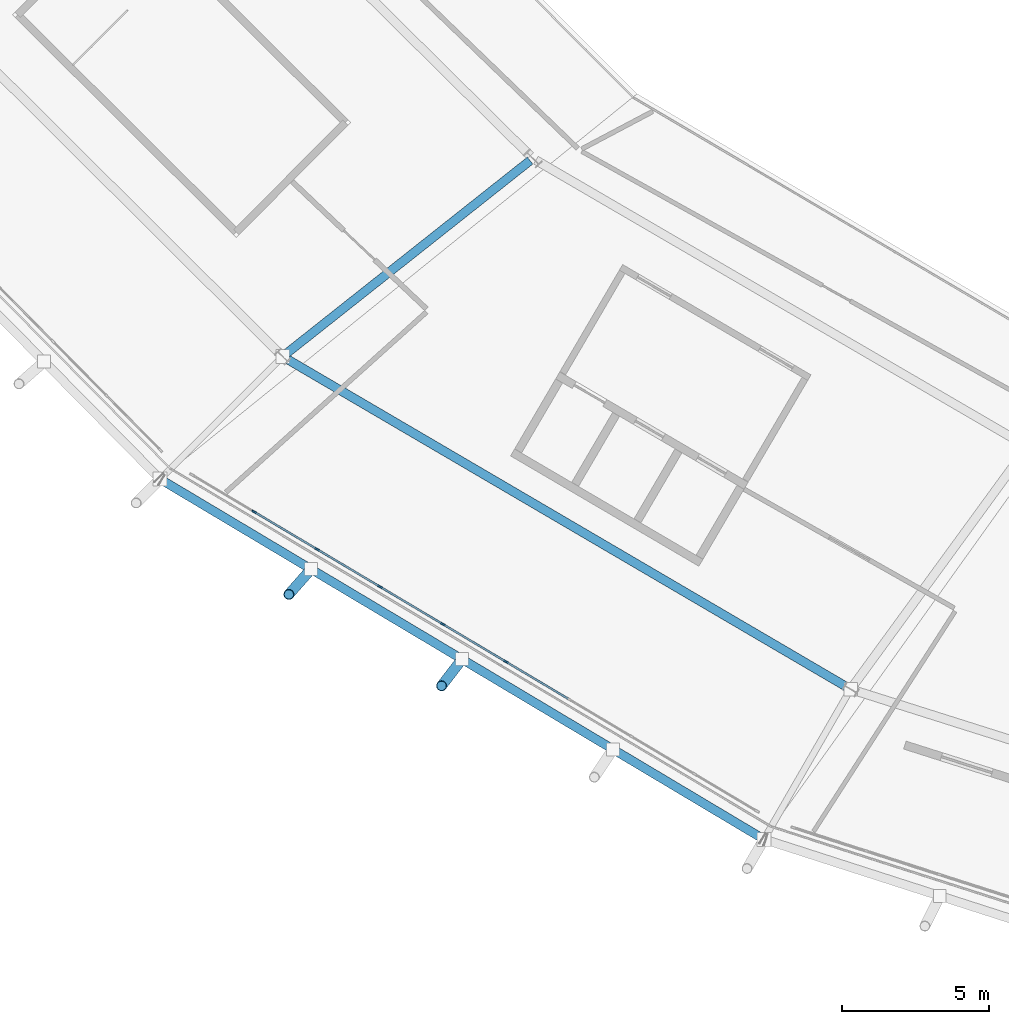
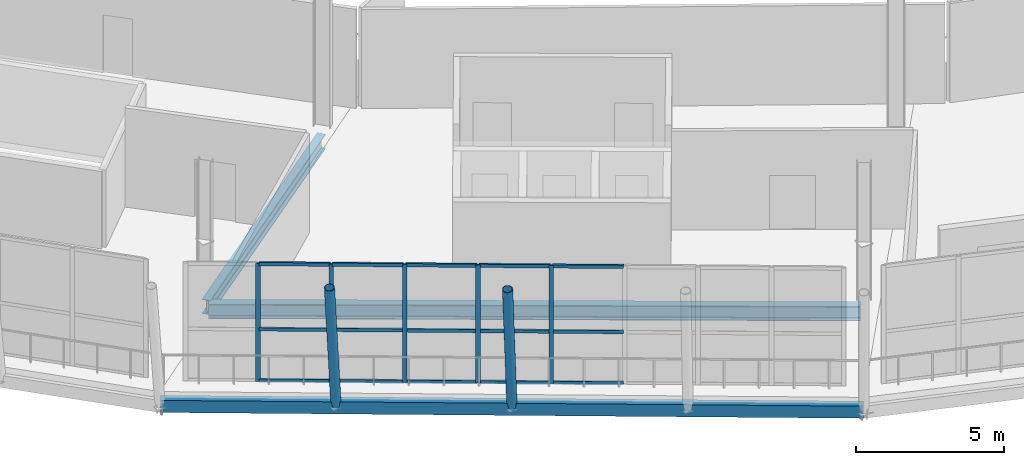
# One storey, part 14 of 99: 22 members, 3 beams, 1 element without a shape of its own.
"""IFC4 building model written with IfcOpenShell, lengths in metres."""

from ifc_helpers import new_model, si_unit, direction, frame, origin, origin_2d, place, context, subcontext, project, spatial, rectangle, hollow_rectangle, hollow_circle, i_section, extrude, material, material_profile, profile_set, type_object, element, aggregate, save


model = new_model("IFC4")

# Units and contexts
model_context = context("Model", 3, precision=1e-05, world=origin(), true_north=direction((0.0, 1.0)))
body_context = subcontext(model_context, "Body", "Model", "MODEL_VIEW")
ifc_project = project(units=[si_unit("LENGTHUNIT", "METRE"), si_unit("AREAUNIT", "SQUARE_METRE"), si_unit("VOLUMEUNIT", "CUBIC_METRE"), si_unit("PLANEANGLEUNIT", "RADIAN"), si_unit("MASSUNIT", "GRAM", prefix="KILO")], contexts=[model_context])

# Site, building, storey
site_placement = place(None, origin())
site = spatial("IfcSite", under=ifc_project, at=site_placement, CompositionType="ELEMENT")
building_placement = place(site_placement, origin())
building = spatial("IfcBuilding", under=site, at=building_placement, Name="Zlatoyarsky Gate Stadium", CompositionType="ELEMENT")
storey_placement = place(building_placement, frame((0.0, 0.0, 26.199951171875)))
storey = spatial("IfcBuildingStorey", under=building, at=storey_placement, Name="L05", CompositionType="ELEMENT", Elevation=26.199951171875)

# Curtain wall, members
ifc_material_1 = material(Name="Thermally broken anodised aluminium curtain wall", Category="aluminium")
curtain_wall_type = type_object("IfcCurtainWallType", Name="UNITISED SKYBOX RING GLAZING L05", PredefinedType="USERDEFINED", material=ifc_material_1)
curtain_wall_placement = place(storey_placement, origin())
curtain_wall = element("IfcCurtainWall", 1, at=curtain_wall_placement, inside=storey, type_object=curtain_wall_type, Name="Curtain wall CW-L05-15", ObjectType="UNITISED GLAZING", PredefinedType="USERDEFINED")
ifc_material_2 = material(Name="Anodised aluminium 6063-T6", Category="aluminium")
ifc_material_profile_1 = material_profile(ifc_material_2, rectangle(XDim=0.06494140625, YDim=0.159912109375, at=origin_2d()), Name="ALU 65X160")
ifc_profile_set_1 = profile_set([ifc_material_profile_1], Name="Anodised aluminium 6063-T6")
member_type_1 = type_object("IfcMemberType", Name="ALUMINIUM MULLION 65X160", PredefinedType="MULLION", material=ifc_profile_set_1)
member_1_placement = place(storey_placement, frame((44.271240234375, 24.5302734375, 0.0), z_axis=(0.0, 0.0, 1.0), x_axis=(0.511577166542, 0.859237337802, 0.0)))
member_1 = element("IfcMember", 2, at=member_1_placement, type_object=member_type_1, Name="CW-UG5 mullion 2", PredefinedType="MULLION", context=body_context, shape_type="SweptSolid", body=[
    extrude(rectangle(XDim=0.06494140625, YDim=0.159912109375, at=origin_2d()), origin(), (0.0, 0.0, 1.0), 4.880126953125),
])
member_2_placement = place(storey_placement, frame((46.406494140625, 23.259033203125, 0.0), z_axis=(0.0, 0.0, 1.0), x_axis=(0.511577166542, 0.859237337802, 0.0)))
member_2 = element("IfcMember", 3, at=member_2_placement, type_object=member_type_1, Name="CW-UG5 mullion 3", PredefinedType="MULLION", context=body_context, shape_type="SweptSolid", body=[
    extrude(rectangle(XDim=0.06494140625, YDim=0.159912109375, at=origin_2d()), origin(), (0.0, 0.0, 1.0), 4.880126953125),
])
member_3_placement = place(storey_placement, frame((48.54150390625, 21.98779296875, 0.0), z_axis=(0.0, 0.0, 1.0), x_axis=(0.511577166542, 0.859237337802, 0.0)))
member_3 = element("IfcMember", 4, at=member_3_placement, type_object=member_type_1, Name="CW-UG5 mullion 4", PredefinedType="MULLION", context=body_context, shape_type="SweptSolid", body=[
    extrude(rectangle(XDim=0.06494140625, YDim=0.159912109375, at=origin_2d()), origin(), (0.0, 0.0, 1.0), 4.880126953125),
])
member_4_placement = place(storey_placement, frame((50.6767578125, 20.716552734375, 0.0), z_axis=(0.0, 0.0, 1.0), x_axis=(0.511577166542, 0.859237337802, 0.0)))
member_4 = element("IfcMember", 5, at=member_4_placement, type_object=member_type_1, Name="CW-UG5 mullion 5", PredefinedType="MULLION", context=body_context, shape_type="SweptSolid", body=[
    extrude(rectangle(XDim=0.06494140625, YDim=0.159912109375, at=origin_2d()), origin(), (0.0, 0.0, 1.0), 4.880126953125),
])
member_5_placement = place(storey_placement, frame((52.811767578125, 19.4453125, 0.0), z_axis=(0.0, 0.0, 1.0), x_axis=(0.511577166542, 0.859237337802, 0.0)))
member_5 = element("IfcMember", 6, at=member_5_placement, type_object=member_type_1, Name="CW-UG5 mullion 6", PredefinedType="MULLION", context=body_context, shape_type="SweptSolid", body=[
    extrude(rectangle(XDim=0.06494140625, YDim=0.159912109375, at=origin_2d()), origin(), (0.0, 0.0, 1.0), 4.880126953125),
])
ifc_material_profile_2 = material_profile(ifc_material_2, rectangle(XDim=0.06494140625, YDim=0.139892578125, at=origin_2d()), Name="ALU 65X140")
ifc_profile_set_2 = profile_set([ifc_material_profile_2], Name="Anodised aluminium 6063-T6")
member_type_2 = type_object("IfcMemberType", Name="ALUMINIUM TRANSOM 65X140", PredefinedType="USERDEFINED", material=ifc_profile_set_2)
member_6_placement = place(storey_placement, frame((44.299072265625, 24.513427734375, 0.032470703125), z_axis=(0.859277047408, -0.511510464994, 0.0), x_axis=(0.511510464994, 0.859277047408, 0.0)))
member_6 = element("IfcMember", 7, at=member_6_placement, type_object=member_type_2, Name="CW-UG5 transom 2.1", ObjectType="TRANSOM", PredefinedType="USERDEFINED", context=body_context, shape_type="SweptSolid", body=[
    extrude(rectangle(XDim=0.06494140625, YDim=0.139892578125, at=origin_2d()), origin(), (0.0, 0.0, 1.0), 2.419921875),
])
member_7_placement = place(storey_placement, frame((44.299072265625, 24.513427734375, 2.150146484375), z_axis=(0.859277047408, -0.511510464994, 0.0), x_axis=(0.511510464994, 0.859277047408, 0.0)))
member_7 = element("IfcMember", 8, at=member_7_placement, type_object=member_type_2, Name="CW-UG5 transom 2.2", ObjectType="TRANSOM", PredefinedType="USERDEFINED", context=body_context, shape_type="SweptSolid", body=[
    extrude(rectangle(XDim=0.06494140625, YDim=0.139892578125, at=origin_2d()), origin(), (0.0, 0.0, 1.0), 2.419921875),
])
member_8_placement = place(storey_placement, frame((44.299072265625, 24.513427734375, 4.84765625), z_axis=(0.859277047408, -0.511510464994, 0.0), x_axis=(0.511510464994, 0.859277047408, 0.0)))
member_8 = element("IfcMember", 9, at=member_8_placement, type_object=member_type_2, Name="CW-UG5 transom 2.3", ObjectType="TRANSOM", PredefinedType="USERDEFINED", context=body_context, shape_type="SweptSolid", body=[
    extrude(rectangle(XDim=0.06494140625, YDim=0.139892578125, at=origin_2d()), origin(), (0.0, 0.0, 1.0), 2.419921875),
])
member_9_placement = place(storey_placement, frame((46.434326171875, 23.2421875, 0.032470703125), z_axis=(0.859277047408, -0.511510464994, 0.0), x_axis=(0.511510464994, 0.859277047408, 0.0)))
member_9 = element("IfcMember", 10, at=member_9_placement, type_object=member_type_2, Name="CW-UG5 transom 3.1", ObjectType="TRANSOM", PredefinedType="USERDEFINED", context=body_context, shape_type="SweptSolid", body=[
    extrude(rectangle(XDim=0.06494140625, YDim=0.139892578125, at=origin_2d()), origin(), (0.0, 0.0, 1.0), 2.419921875),
])
member_10_placement = place(storey_placement, frame((46.434326171875, 23.2421875, 2.150146484375), z_axis=(0.859277047408, -0.511510464994, 0.0), x_axis=(0.511510464994, 0.859277047408, 0.0)))
member_10 = element("IfcMember", 11, at=member_10_placement, type_object=member_type_2, Name="CW-UG5 transom 3.2", ObjectType="TRANSOM", PredefinedType="USERDEFINED", context=body_context, shape_type="SweptSolid", body=[
    extrude(rectangle(XDim=0.06494140625, YDim=0.139892578125, at=origin_2d()), origin(), (0.0, 0.0, 1.0), 2.419921875),
])
member_11_placement = place(storey_placement, frame((46.434326171875, 23.2421875, 4.84765625), z_axis=(0.859277047408, -0.511510464994, 0.0), x_axis=(0.511510464994, 0.859277047408, 0.0)))
member_11 = element("IfcMember", 12, at=member_11_placement, type_object=member_type_2, Name="CW-UG5 transom 3.3", ObjectType="TRANSOM", PredefinedType="USERDEFINED", context=body_context, shape_type="SweptSolid", body=[
    extrude(rectangle(XDim=0.06494140625, YDim=0.139892578125, at=origin_2d()), origin(), (0.0, 0.0, 1.0), 2.419921875),
])
member_12_placement = place(storey_placement, frame((48.569580078125, 21.97119140625, 0.032470703125), z_axis=(0.859206295703, -0.511629300788, 0.0), x_axis=(0.511629300788, 0.859206295703, 0.0)))
member_12 = element("IfcMember", 13, at=member_12_placement, type_object=member_type_2, Name="CW-UG5 transom 4.1", ObjectType="TRANSOM", PredefinedType="USERDEFINED", context=body_context, shape_type="SweptSolid", body=[
    extrude(rectangle(XDim=0.06494140625, YDim=0.139892578125, at=origin_2d()), origin(), (0.0, 0.0, 1.0), 2.419677734375),
])
member_13_placement = place(storey_placement, frame((48.569580078125, 21.97119140625, 2.150146484375), z_axis=(0.859206295703, -0.511629300788, 0.0), x_axis=(0.511629300788, 0.859206295703, 0.0)))
member_13 = element("IfcMember", 14, at=member_13_placement, type_object=member_type_2, Name="CW-UG5 transom 4.2", ObjectType="TRANSOM", PredefinedType="USERDEFINED", context=body_context, shape_type="SweptSolid", body=[
    extrude(rectangle(XDim=0.06494140625, YDim=0.139892578125, at=origin_2d()), origin(), (0.0, 0.0, 1.0), 2.419677734375),
])
member_14_placement = place(storey_placement, frame((48.569580078125, 21.97119140625, 4.84765625), z_axis=(0.859206295703, -0.511629300788, 0.0), x_axis=(0.511629300788, 0.859206295703, 0.0)))
member_14 = element("IfcMember", 15, at=member_14_placement, type_object=member_type_2, Name="CW-UG5 transom 4.3", ObjectType="TRANSOM", PredefinedType="USERDEFINED", context=body_context, shape_type="SweptSolid", body=[
    extrude(rectangle(XDim=0.06494140625, YDim=0.139892578125, at=origin_2d()), origin(), (0.0, 0.0, 1.0), 2.419677734375),
])
member_15_placement = place(storey_placement, frame((50.70458984375, 20.699951171875, 0.032470703125), z_axis=(0.859232702525, -0.511584951803, 0.0), x_axis=(0.511584951803, 0.859232702525, 0.0)))
member_15 = element("IfcMember", 16, at=member_15_placement, type_object=member_type_2, Name="CW-UG5 transom 5.1", ObjectType="TRANSOM", PredefinedType="USERDEFINED", context=body_context, shape_type="SweptSolid", body=[
    extrude(rectangle(XDim=0.06494140625, YDim=0.139892578125, at=origin_2d()), origin(), (0.0, 0.0, 1.0), 2.419921875),
])
member_16_placement = place(storey_placement, frame((50.70458984375, 20.699951171875, 2.150146484375), z_axis=(0.859232702525, -0.511584951803, 0.0), x_axis=(0.511584951803, 0.859232702525, 0.0)))
member_16 = element("IfcMember", 17, at=member_16_placement, type_object=member_type_2, Name="CW-UG5 transom 5.2", ObjectType="TRANSOM", PredefinedType="USERDEFINED", context=body_context, shape_type="SweptSolid", body=[
    extrude(rectangle(XDim=0.06494140625, YDim=0.139892578125, at=origin_2d()), origin(), (0.0, 0.0, 1.0), 2.419921875),
])
member_17_placement = place(storey_placement, frame((50.70458984375, 20.699951171875, 4.84765625), z_axis=(0.859232702525, -0.511584951803, 0.0), x_axis=(0.511584951803, 0.859232702525, 0.0)))
member_17 = element("IfcMember", 18, at=member_17_placement, type_object=member_type_2, Name="CW-UG5 transom 5.3", ObjectType="TRANSOM", PredefinedType="USERDEFINED", context=body_context, shape_type="SweptSolid", body=[
    extrude(rectangle(XDim=0.06494140625, YDim=0.139892578125, at=origin_2d()), origin(), (0.0, 0.0, 1.0), 2.419921875),
])
member_18_placement = place(storey_placement, frame((52.83984375, 19.4287109375, 0.032470703125), z_axis=(0.859206295703, -0.511629300788, 0.0), x_axis=(0.511629300788, 0.859206295703, 0.0)))
member_18 = element("IfcMember", 19, at=member_18_placement, type_object=member_type_2, Name="CW-UG5 transom 6.1", ObjectType="TRANSOM", PredefinedType="USERDEFINED", context=body_context, shape_type="SweptSolid", body=[
    extrude(rectangle(XDim=0.06494140625, YDim=0.139892578125, at=origin_2d()), origin(), (0.0, 0.0, 1.0), 2.419677734375),
])
member_19_placement = place(storey_placement, frame((52.83984375, 19.4287109375, 2.150146484375), z_axis=(0.859206295703, -0.511629300788, 0.0), x_axis=(0.511629300788, 0.859206295703, 0.0)))
member_19 = element("IfcMember", 20, at=member_19_placement, type_object=member_type_2, Name="CW-UG5 transom 6.2", ObjectType="TRANSOM", PredefinedType="USERDEFINED", context=body_context, shape_type="SweptSolid", body=[
    extrude(rectangle(XDim=0.06494140625, YDim=0.139892578125, at=origin_2d()), origin(), (0.0, 0.0, 1.0), 2.419677734375),
])
member_20_placement = place(storey_placement, frame((52.83984375, 19.4287109375, 4.84765625), z_axis=(0.859206295703, -0.511629300788, 0.0), x_axis=(0.511629300788, 0.859206295703, 0.0)))
member_20 = element("IfcMember", 21, at=member_20_placement, type_object=member_type_2, Name="CW-UG5 transom 6.3", ObjectType="TRANSOM", PredefinedType="USERDEFINED", context=body_context, shape_type="SweptSolid", body=[
    extrude(rectangle(XDim=0.06494140625, YDim=0.139892578125, at=origin_2d()), origin(), (0.0, 0.0, 1.0), 2.419677734375),
])
aggregate(curtain_wall, [member_1, member_2, member_3, member_4, member_5, member_6, member_7, member_8, member_9, member_10, member_11, member_12, member_13, member_14, member_15, member_16, member_17, member_18, member_19, member_20])

# Members
ifc_material_3 = material(Name="Steel S355", Category="steel")
ifc_material_profile_3 = material_profile(ifc_material_3, hollow_circle(Radius=0.177734375, WallThickness=0.02001953125, at=origin_2d()), Name="CHS 355.6X20")
ifc_profile_set_3 = profile_set([ifc_material_profile_3], Name="Steel S355")
member_type_3 = type_object("IfcMemberType", Name="STEEL LEANING RIB RING STRUT CHS 355.6X20", PredefinedType="STRUT", material=ifc_profile_set_3)
member_21_placement = place(storey_placement, frame((46.2021484375, 22.584716796875, -0.510009765625), z_axis=(-0.130436760635, -0.14870213522, 0.98024176939), x_axis=(0.751768408011, -0.659427221698, 0.0)))
element("IfcMember", 22, at=member_21_placement, inside=storey, type_object=member_type_3, Name="Outward-leaning bowl louvre fin rib L05 15-1", PredefinedType="STRUT", context=body_context, shape_type="SweptSolid", body=[
    extrude(hollow_circle(Radius=0.177734375, WallThickness=0.02001953125, at=origin_2d()), origin(), (0.0, 0.0, 1.0), 5.774169921875),
])
member_22_placement = place(storey_placement, frame((51.32177734375, 19.5302734375, -0.510009765625), z_axis=(-0.120172943804, -0.156580017913, 0.98032706867), x_axis=(0.793292481997, -0.608840732875, 0.0)))
element("IfcMember", 23, at=member_22_placement, inside=storey, type_object=member_type_3, Name="Outward-leaning bowl louvre fin rib L05 15-2", PredefinedType="STRUT", context=body_context, shape_type="SweptSolid", body=[
    extrude(hollow_circle(Radius=0.177734375, WallThickness=0.02001953125, at=origin_2d()), origin(), (0.0, 0.0, 1.0), 5.773681640625),
])

# Beams
ifc_material_profile_4 = material_profile(ifc_material_3, hollow_rectangle(XDim=0.300048828125, YDim=0.5, WallThickness=0.02001953125, at=origin_2d()), Name="RHS 500X300X20")
ifc_profile_set_4 = profile_set([ifc_material_profile_4], Name="Steel S355")
beam_type_1 = type_object("IfcBeamType", Name="STEEL LOUVRE CARRIER SPANDREL RHS 500X300X20", PredefinedType="SPANDREL", material=ifc_profile_set_4)
beam_1_placement = place(storey_placement, frame((41.099853515625, 25.62890625, -0.510009765625), z_axis=(0.858774302963, -0.51235407344, 0.0), x_axis=(0.51235407344, 0.858774302963, 0.0)))
element("IfcBeam", 24, at=beam_1_placement, inside=storey, type_object=beam_type_1, Name="Beam SP-RHS500 BM-L05-SPD-15", PredefinedType="SPANDREL", context=body_context, shape_type="SweptSolid", body=[
    extrude(hollow_rectangle(XDim=0.300048828125, YDim=0.5, WallThickness=0.02001953125, at=origin_2d()), origin(), (0.0, 0.0, 1.0), 23.805908203125),
])
ifc_material_profile_5 = material_profile(ifc_material_3, i_section(OverallWidth=0.300048828125, OverallDepth=0.60009765625, WebThickness=0.015380859375, FlangeThickness=0.030029296875, FilletRadius=0.027099609375, at=origin_2d()), Name="HEB 600")
ifc_profile_set_5 = profile_set([ifc_material_profile_5], Name="Steel S355")
beam_type_2 = type_object("IfcBeamType", Name="STEEL PRIMARY GIRDER HEB 600", PredefinedType="BEAM", material=ifc_profile_set_5)
beam_2_placement = place(storey_placement, frame((53.63037109375, 36.4384765625, -0.56005859375), z_axis=(-0.78404348542, -0.620705898933, 0.0), x_axis=(0.620705898933, -0.78404348542, 0.0)))
element("IfcBeam", 25, at=beam_2_placement, inside=storey, type_object=beam_type_2, Name="Beam G-HEB600 BM-L05-RBC-15", PredefinedType="BEAM", context=body_context, shape_type="SweptSolid", body=[
    extrude(i_section(OverallWidth=0.300048828125, OverallDepth=0.60009765625, WebThickness=0.015380859375, FlangeThickness=0.030029296875, FilletRadius=0.027099609375, at=origin_2d()), origin(), (0.0, 0.0, 1.0), 10.58251953125),
])
beam_3_placement = place(storey_placement, frame((45.342529296875, 29.734619140625, -0.56005859375), z_axis=(0.862854775092, -0.505451913738, 0.0), x_axis=(0.505451913738, 0.862854775092, 0.0)))
element("IfcBeam", 26, at=beam_3_placement, inside=storey, type_object=beam_type_2, Name="Beam G-HEB600 BM-L05-CRC-15", PredefinedType="BEAM", context=body_context, shape_type="SweptSolid", body=[
    extrude(i_section(OverallWidth=0.300048828125, OverallDepth=0.60009765625, WebThickness=0.015380859375, FlangeThickness=0.030029296875, FilletRadius=0.027099609375, at=origin_2d()), origin(), (0.0, 0.0, 1.0), 22.08251953125),
])

save(model, "model.ifc")
